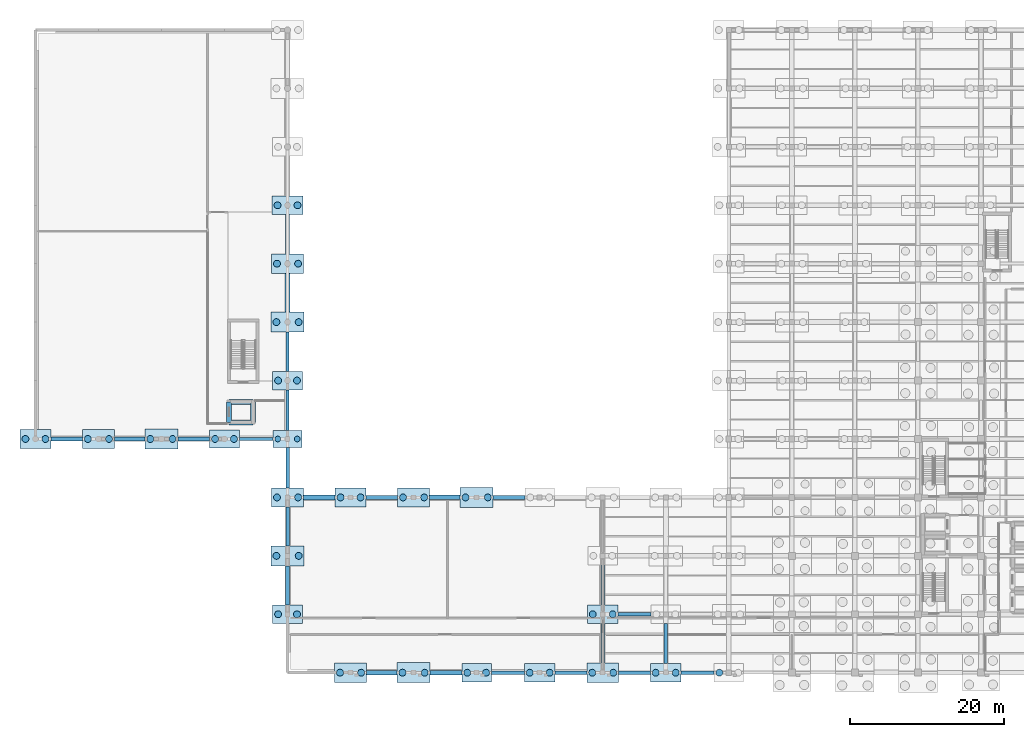
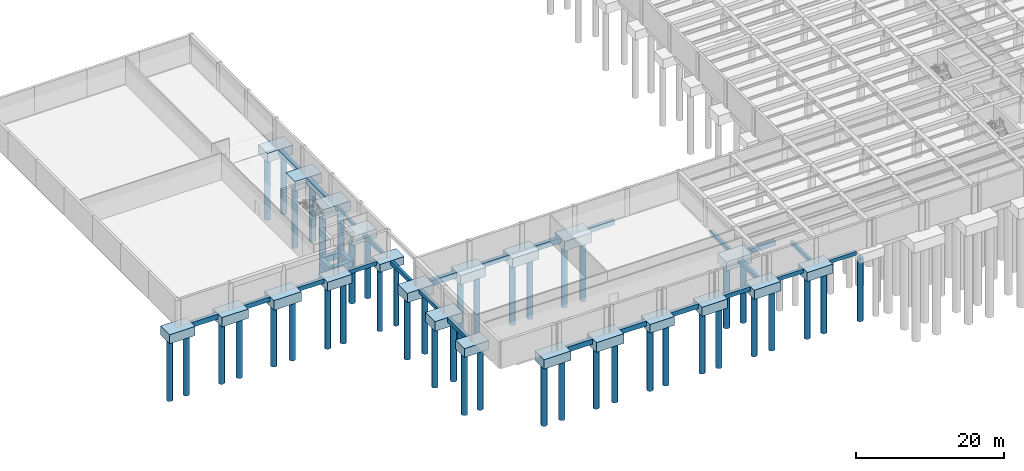
# One storey, part 1 of 29: 51 footings, 45 piles.
"""IFC4 building model written with IfcOpenShell, lengths in metres."""

from ifc_helpers import new_model, si_unit, direction, frame, origin, origin_2d, place, context, subcontext, project, spatial, rectangle, circle, extrude, material, material_profile, profile_set, type_object, element, save


model = new_model("IFC4")

# Units and contexts
model_context = context("Model", 3, precision=1e-05, world=origin(), true_north=direction((0.0, 1.0)))
body_context = subcontext(model_context, "Body", "Model", "MODEL_VIEW")
ifc_project = project(units=[si_unit("LENGTHUNIT", "METRE"), si_unit("AREAUNIT", "SQUARE_METRE"), si_unit("VOLUMEUNIT", "CUBIC_METRE"), si_unit("PLANEANGLEUNIT", "RADIAN"), si_unit("MASSUNIT", "GRAM", prefix="KILO")], contexts=[model_context])

# Site, building, storey
site_placement = place(None, origin())
site = spatial("IfcSite", under=ifc_project, at=site_placement, CompositionType="ELEMENT")
building_placement = place(site_placement, origin())
building = spatial("IfcBuilding", under=site, at=building_placement, Name="Qandaris Square Conservatory and Botanical Centre", CompositionType="ELEMENT")
storey_placement = place(building_placement, frame((0.0, 0.0, -4.800048828125)))
storey = spatial("IfcBuildingStorey", under=building, at=storey_placement, Name="B1", CompositionType="ELEMENT", Elevation=-4.800048828125)

# Piles
ifc_material_1 = material(Name="Concrete C50/60", Category="concrete")
ifc_material_profile_1 = material_profile(ifc_material_1, circle(Radius=0.375, at=origin_2d()), Name="PILE D750")
ifc_profile_set_1 = profile_set([ifc_material_profile_1], Name="Concrete C50/60")
pile_type_1 = type_object("IfcPileType", Name="Bored Pile D750", PredefinedType="BORED", material=ifc_profile_set_1)
for number, where, z_axis, x_axis, name in (
    (1, (55.925048828125, 47.0, -1.199951171875), (0.0, 0.0, -1.0), (1.0, 0.0, 0.0), "Bored Pile F7-1"),
    (2, (58.47509765625, 47.0, -1.199951171875), (0.0, 0.0, -1.0), (1.0, 0.0, 0.0), "Bored Pile F7-2"),
):
    element("IfcPile", number, at=place(storey_placement, frame(where, z_axis=z_axis, x_axis=x_axis)), inside=storey, type_object=pile_type_1, Name=name, PredefinedType="BORED", context=body_context, shape_type="SweptSolid", body=[
        extrude(circle(Radius=0.375, at=origin_2d()), origin(), (0.0, 0.0, 1.0), 10.5),
    ])
ifc_material_profile_2 = material_profile(ifc_material_1, circle(Radius=0.449951171875, at=origin_2d()), Name="PILE D900")
ifc_profile_set_2 = profile_set([ifc_material_profile_2], Name="Concrete C50/60")
pile_type_2 = type_object("IfcPileType", Name="Bored Pile D900", PredefinedType="BORED", material=ifc_profile_set_2)
for number, where, z_axis, x_axis, name in (
    (3, (23.10009765625, 47.0, -1.39990234375), (0.0, 0.0, -1.0), (1.0, 0.0, 0.0), "Bored Pile F3-1"),
    (4, (25.699951171875, 47.0, -1.39990234375), (0.0, 0.0, -1.0), (1.0, 0.0, 0.0), "Bored Pile F3-2"),
):
    element("IfcPile", number, at=place(storey_placement, frame(where, z_axis=z_axis, x_axis=x_axis)), inside=storey, type_object=pile_type_2, Name=name, PredefinedType="BORED", context=body_context, shape_type="SweptSolid", body=[
        extrude(circle(Radius=0.449951171875, at=origin_2d()), origin(), (0.0, 0.0, 1.0), 10.300048828125),
    ])
for number, where, z_axis, x_axis, name in (
    (5, (31.22509765625, 47.0, -1.449951171875), (0.0, 0.0, -1.0), (1.0, 0.0, 0.0), "Bored Pile F4-1"),
    (6, (33.97509765625, 47.0, -1.449951171875), (0.0, 0.0, -1.0), (1.0, 0.0, 0.0), "Bored Pile F4-2"),
):
    element("IfcPile", number, at=place(storey_placement, frame(where, z_axis=z_axis, x_axis=x_axis)), inside=storey, type_object=pile_type_2, Name=name, PredefinedType="BORED", context=body_context, shape_type="SweptSolid", body=[
        extrude(circle(Radius=0.449951171875, at=origin_2d()), origin(), (0.0, 0.0, 1.0), 10.25),
    ])
for number, where, z_axis, x_axis, name in (
    (7, (39.35009765625, 47.0, -1.5), (0.0, 0.0, -1.0), (1.0, 0.0, 0.0), "Bored Pile F5-1"),
    (8, (42.25, 47.0, -1.5), (0.0, 0.0, -1.0), (1.0, 0.0, 0.0), "Bored Pile F5-2"),
):
    element("IfcPile", number, at=place(storey_placement, frame(where, z_axis=z_axis, x_axis=x_axis)), inside=storey, type_object=pile_type_2, Name=name, PredefinedType="BORED", context=body_context, shape_type="SweptSolid", body=[
        extrude(circle(Radius=0.449951171875, at=origin_2d()), origin(), (0.0, 0.0, 1.0), 10.199951171875),
    ])
for number, where, z_axis, x_axis, name in (
    (9, (47.77490234375, 47.0, -1.349853515625), (0.0, 0.0, -1.0), (1.0, 0.0, 0.0), "Bored Pile F6-1"),
    (10, (50.22509765625, 47.0, -1.349853515625), (0.0, 0.0, -1.0), (1.0, 0.0, 0.0), "Bored Pile F6-2"),
    (11, (55.97509765625, 24.199951171875, -1.349853515625), (0.0, 0.0, -1.0), (1.0, 0.0, 0.0), "Bored Pile C7-1"),
    (12, (58.425048828125, 24.199951171875, -1.349853515625), (0.0, 0.0, -1.0), (1.0, 0.0, 0.0), "Bored Pile C7-2"),
):
    element("IfcPile", number, at=place(storey_placement, frame(where, z_axis=z_axis, x_axis=x_axis)), inside=storey, type_object=pile_type_2, Name=name, PredefinedType="BORED", context=body_context, shape_type="SweptSolid", body=[
        extrude(circle(Radius=0.449951171875, at=origin_2d()), origin(), (0.0, 0.0, 1.0), 10.35009765625),
    ])
for number, where, z_axis, x_axis, name in (
    (13, (55.75, 31.800048828125, -1.5), (0.0, 0.0, -1.0), (1.0, 0.0, 0.0), "Bored Pile D7-1"),
    (14, (58.64990234375, 31.800048828125, -1.5), (0.0, 0.0, -1.0), (1.0, 0.0, 0.0), "Bored Pile D7-2"),
):
    element("IfcPile", number, at=place(storey_placement, frame(where, z_axis=z_axis, x_axis=x_axis)), inside=storey, type_object=pile_type_2, Name=name, PredefinedType="BORED", context=body_context, shape_type="SweptSolid", body=[
        extrude(circle(Radius=0.449951171875, at=origin_2d()), origin(), (0.0, 0.0, 1.0), 10.199951171875),
    ])
for number, where, z_axis, x_axis, name in (
    (15, (55.824951171875, 39.39990234375, -1.449951171875), (0.0, 0.0, -1.0), (1.0, 0.0, 0.0), "Bored Pile E7-1"),
    (16, (58.574951171875, 39.39990234375, -1.449951171875), (0.0, 0.0, -1.0), (1.0, 0.0, 0.0), "Bored Pile E7-2"),
):
    element("IfcPile", number, at=place(storey_placement, frame(where, z_axis=z_axis, x_axis=x_axis)), inside=storey, type_object=pile_type_2, Name=name, PredefinedType="BORED", context=body_context, shape_type="SweptSolid", body=[
        extrude(circle(Radius=0.449951171875, at=origin_2d()), origin(), (0.0, 0.0, 1.0), 10.25),
    ])
for number, where, z_axis, x_axis, name in (
    (17, (55.97509765625, 54.60009765625, -1.349853515625), (0.0, 0.0, -1.0), (1.0, 0.0, 0.0), "Bored Pile G7-1"),
    (18, (58.425048828125, 54.60009765625, -1.349853515625), (0.0, 0.0, -1.0), (1.0, 0.0, 0.0), "Bored Pile G7-2"),
):
    element("IfcPile", number, at=place(storey_placement, frame(where, z_axis=z_axis, x_axis=x_axis)), inside=storey, type_object=pile_type_2, Name=name, PredefinedType="BORED", context=body_context, shape_type="SweptSolid", body=[
        extrude(circle(Radius=0.449951171875, at=origin_2d()), origin(), (0.0, 0.0, 1.0), 10.35009765625),
    ])
for number, where, z_axis, x_axis, name in (
    (19, (55.75, 62.199951171875, -1.5), (0.0, 0.0, -1.0), (1.0, 0.0, 0.0), "Bored Pile H7-1"),
    (20, (58.64990234375, 62.199951171875, -1.5), (0.0, 0.0, -1.0), (1.0, 0.0, 0.0), "Bored Pile H7-2"),
):
    element("IfcPile", number, at=place(storey_placement, frame(where, z_axis=z_axis, x_axis=x_axis)), inside=storey, type_object=pile_type_2, Name=name, PredefinedType="BORED", context=body_context, shape_type="SweptSolid", body=[
        extrude(circle(Radius=0.449951171875, at=origin_2d()), origin(), (0.0, 0.0, 1.0), 10.199951171875),
    ])
for number, where, z_axis, x_axis, name in (
    (21, (55.824951171875, 69.800048828125, -1.449951171875), (0.0, 0.0, -1.0), (1.0, 0.0, 0.0), "Bored Pile J7-1"),
    (22, (58.574951171875, 69.800048828125, -1.449951171875), (0.0, 0.0, -1.0), (1.0, 0.0, 0.0), "Bored Pile J7-2"),
):
    element("IfcPile", number, at=place(storey_placement, frame(where, z_axis=z_axis, x_axis=x_axis)), inside=storey, type_object=pile_type_2, Name=name, PredefinedType="BORED", context=body_context, shape_type="SweptSolid", body=[
        extrude(circle(Radius=0.449951171875, at=origin_2d()), origin(), (0.0, 0.0, 1.0), 10.25),
    ])
for number, where, z_axis, x_axis, name in (
    (23, (55.89990234375, 77.39990234375, -1.39990234375), (0.0, 0.0, -1.0), (1.0, 0.0, 0.0), "Bored Pile K7-1"),
    (24, (58.5, 77.39990234375, -1.39990234375), (0.0, 0.0, -1.0), (1.0, 0.0, 0.0), "Bored Pile K7-2"),
):
    element("IfcPile", number, at=place(storey_placement, frame(where, z_axis=z_axis, x_axis=x_axis)), inside=storey, type_object=pile_type_2, Name=name, PredefinedType="BORED", context=body_context, shape_type="SweptSolid", body=[
        extrude(circle(Radius=0.449951171875, at=origin_2d()), origin(), (0.0, 0.0, 1.0), 10.300048828125),
    ])
for number, where, z_axis, x_axis, name in (
    (25, (64.02490234375, 16.60009765625, -1.449951171875), (0.0, 0.0, -1.0), (1.0, 0.0, 0.0), "Bored Pile B8-1"),
    (26, (66.77490234375, 16.60009765625, -1.449951171875), (0.0, 0.0, -1.0), (1.0, 0.0, 0.0), "Bored Pile B8-2"),
):
    element("IfcPile", number, at=place(storey_placement, frame(where, z_axis=z_axis, x_axis=x_axis)), inside=storey, type_object=pile_type_2, Name=name, PredefinedType="BORED", context=body_context, shape_type="SweptSolid", body=[
        extrude(circle(Radius=0.449951171875, at=origin_2d()), origin(), (0.0, 0.0, 1.0), 10.25),
    ])
for number, where, z_axis, x_axis, name in (
    (27, (64.10009765625, 39.39990234375, -1.39990234375), (0.0, 0.0, -1.0), (1.0, 0.0, 0.0), "Bored Pile E8-1"),
    (28, (66.699951171875, 39.39990234375, -1.39990234375), (0.0, 0.0, -1.0), (1.0, 0.0, 0.0), "Bored Pile E8-2"),
):
    element("IfcPile", number, at=place(storey_placement, frame(where, z_axis=z_axis, x_axis=x_axis)), inside=storey, type_object=pile_type_2, Name=name, PredefinedType="BORED", context=body_context, shape_type="SweptSolid", body=[
        extrude(circle(Radius=0.449951171875, at=origin_2d()), origin(), (0.0, 0.0, 1.0), 10.300048828125),
    ])
for number, where, z_axis, x_axis, name in (
    (29, (72.14990234375, 16.60009765625, -1.5), (0.0, 0.0, -1.0), (1.0, 0.0, 0.0), "Bored Pile B9-1"),
    (30, (75.050048828125, 16.60009765625, -1.5), (0.0, 0.0, -1.0), (1.0, 0.0, 0.0), "Bored Pile B9-2"),
):
    element("IfcPile", number, at=place(storey_placement, frame(where, z_axis=z_axis, x_axis=x_axis)), inside=storey, type_object=pile_type_2, Name=name, PredefinedType="BORED", context=body_context, shape_type="SweptSolid", body=[
        extrude(circle(Radius=0.449951171875, at=origin_2d()), origin(), (0.0, 0.0, 1.0), 10.199951171875),
    ])
for number, where, z_axis, x_axis, name in (
    (31, (72.22509765625, 39.39990234375, -1.449951171875), (0.0, 0.0, -1.0), (1.0, 0.0, 0.0), "Bored Pile E9-1"),
    (32, (74.97509765625, 39.39990234375, -1.449951171875), (0.0, 0.0, -1.0), (1.0, 0.0, 0.0), "Bored Pile E9-2"),
):
    element("IfcPile", number, at=place(storey_placement, frame(where, z_axis=z_axis, x_axis=x_axis)), inside=storey, type_object=pile_type_2, Name=name, PredefinedType="BORED", context=body_context, shape_type="SweptSolid", body=[
        extrude(circle(Radius=0.449951171875, at=origin_2d()), origin(), (0.0, 0.0, 1.0), 10.25),
    ])
for number, where, z_axis, x_axis, name in (
    (33, (80.574951171875, 16.60009765625, -1.349853515625), (0.0, 0.0, -1.0), (1.0, 0.0, 0.0), "Bored Pile B10-1"),
    (34, (83.02490234375, 16.60009765625, -1.349853515625), (0.0, 0.0, -1.0), (1.0, 0.0, 0.0), "Bored Pile B10-2"),
):
    element("IfcPile", number, at=place(storey_placement, frame(where, z_axis=z_axis, x_axis=x_axis)), inside=storey, type_object=pile_type_2, Name=name, PredefinedType="BORED", context=body_context, shape_type="SweptSolid", body=[
        extrude(circle(Radius=0.449951171875, at=origin_2d()), origin(), (0.0, 0.0, 1.0), 10.35009765625),
    ])
for number, where, z_axis, x_axis, name in (
    (35, (80.35009765625, 39.39990234375, -1.5), (0.0, 0.0, -1.0), (1.0, 0.0, 0.0), "Bored Pile E10-1"),
    (36, (83.25, 39.39990234375, -1.5), (0.0, 0.0, -1.0), (1.0, 0.0, 0.0), "Bored Pile E10-2"),
):
    element("IfcPile", number, at=place(storey_placement, frame(where, z_axis=z_axis, x_axis=x_axis)), inside=storey, type_object=pile_type_2, Name=name, PredefinedType="BORED", context=body_context, shape_type="SweptSolid", body=[
        extrude(circle(Radius=0.449951171875, at=origin_2d()), origin(), (0.0, 0.0, 1.0), 10.199951171875),
    ])
for number, where, z_axis, x_axis, name in (
    (37, (88.699951171875, 16.60009765625, -1.39990234375), (0.0, 0.0, -1.0), (1.0, 0.0, 0.0), "Bored Pile B11-1"),
    (38, (91.300048828125, 16.60009765625, -1.39990234375), (0.0, 0.0, -1.0), (1.0, 0.0, 0.0), "Bored Pile B11-2"),
):
    element("IfcPile", number, at=place(storey_placement, frame(where, z_axis=z_axis, x_axis=x_axis)), inside=storey, type_object=pile_type_2, Name=name, PredefinedType="BORED", context=body_context, shape_type="SweptSolid", body=[
        extrude(circle(Radius=0.449951171875, at=origin_2d()), origin(), (0.0, 0.0, 1.0), 10.300048828125),
    ])
for number, where, z_axis, x_axis, name in (
    (39, (96.824951171875, 16.60009765625, -1.449951171875), (0.0, 0.0, -1.0), (1.0, 0.0, 0.0), "Bored Pile B12-1"),
    (40, (99.574951171875, 16.60009765625, -1.449951171875), (0.0, 0.0, -1.0), (1.0, 0.0, 0.0), "Bored Pile B12-2"),
):
    element("IfcPile", number, at=place(storey_placement, frame(where, z_axis=z_axis, x_axis=x_axis)), inside=storey, type_object=pile_type_2, Name=name, PredefinedType="BORED", context=body_context, shape_type="SweptSolid", body=[
        extrude(circle(Radius=0.449951171875, at=origin_2d()), origin(), (0.0, 0.0, 1.0), 10.25),
    ])
for number, where, z_axis, x_axis, name in (
    (41, (96.89990234375, 24.199951171875, -1.39990234375), (0.0, 0.0, -1.0), (1.0, 0.0, 0.0), "Bored Pile C12-1"),
    (42, (99.5, 24.199951171875, -1.39990234375), (0.0, 0.0, -1.0), (1.0, 0.0, 0.0), "Bored Pile C12-2"),
    (43, (105.10009765625, 16.60009765625, -1.39990234375), (0.0, 0.0, -1.0), (1.0, 0.0, 0.0), "Bored Pile B13-1"),
    (44, (107.699951171875, 16.60009765625, -1.39990234375), (0.0, 0.0, -1.0), (1.0, 0.0, 0.0), "Bored Pile B13-2"),
):
    element("IfcPile", number, at=place(storey_placement, frame(where, z_axis=z_axis, x_axis=x_axis)), inside=storey, type_object=pile_type_2, Name=name, PredefinedType="BORED", context=body_context, shape_type="SweptSolid", body=[
        extrude(circle(Radius=0.449951171875, at=origin_2d()), origin(), (0.0, 0.0, 1.0), 10.300048828125),
    ])
pile_placement = place(storey_placement, frame((113.375, 16.60009765625, -1.349853515625), z_axis=(0.0, 0.0, -1.0), x_axis=(1.0, 0.0, 0.0)))
element("IfcPile", 45, at=pile_placement, inside=storey, type_object=pile_type_2, Name="Bored Pile B14-1", PredefinedType="BORED", context=body_context, shape_type="SweptSolid", body=[
    extrude(circle(Radius=0.449951171875, at=origin_2d()), origin(), (0.0, 0.0, 1.0), 10.35009765625),
])

# Footings
ifc_material_2 = material(Name="Concrete C40/50", Category="concrete")
ifc_material_profile_3 = material_profile(ifc_material_2, rectangle(XDim=0.60009765625, YDim=0.85009765625, at=origin_2d()), Name="FB 600x850")
ifc_profile_set_3 = profile_set([ifc_material_profile_3], Name="Concrete C40/50")
footing_type_1 = type_object("IfcFootingType", Name="RC Ground Tie Beam FB-01", PredefinedType="FOOTING_BEAM", material=ifc_profile_set_3)
for number, where, z_axis, x_axis, name in (
    (46, (67.47509765625, 16.60009765625, -0.425048828125), (1.0, 0.0, 0.0), (0.0, 1.0, 0.0), "Ground Tie Beam FB-01-001"),
    (47, (75.675048828125, 39.39990234375, -0.425048828125), (1.0, 0.0, 0.0), (0.0, 1.0, 0.0), "Ground Tie Beam FB-01-031"),
):
    element("IfcFooting", number, at=place(storey_placement, frame(where, z_axis=z_axis, x_axis=x_axis)), inside=storey, type_object=footing_type_1, Name=name, PredefinedType="FOOTING_BEAM", context=body_context, shape_type="SweptSolid", body=[
        extrude(rectangle(XDim=0.60009765625, YDim=0.85009765625, at=origin_2d()), origin(), (0.0, 0.0, 1.0), 3.974853515625),
    ])
ifc_material_profile_4 = material_profile(ifc_material_2, rectangle(XDim=0.550048828125, YDim=0.800048828125, at=origin_2d()), Name="FB 550x800")
ifc_profile_set_4 = profile_set([ifc_material_profile_4], Name="Concrete C40/50")
footing_type_2 = type_object("IfcFootingType", Name="RC Ground Tie Beam FB-02", PredefinedType="FOOTING_BEAM", material=ifc_profile_set_4)
for number, where, z_axis, x_axis, name in (
    (48, (75.75, 16.60009765625, -0.39990234375), (1.0, 0.0, 0.0), (0.0, 1.0, 0.0), "Ground Tie Beam FB-02-002"),
    (49, (83.949951171875, 39.39990234375, -0.39990234375), (1.0, 0.0, 0.0), (0.0, 1.0, 0.0), "Ground Tie Beam FB-02-032"),
    (50, (26.39990234375, 47.0, -0.39990234375), (1.0, 0.0, 0.0), (0.0, 1.0, 0.0), "Ground Tie Beam FB-02-042"),
):
    element("IfcFooting", number, at=place(storey_placement, frame(where, z_axis=z_axis, x_axis=x_axis)), inside=storey, type_object=footing_type_2, Name=name, PredefinedType="FOOTING_BEAM", context=body_context, shape_type="SweptSolid", body=[
        extrude(rectangle(XDim=0.550048828125, YDim=0.800048828125, at=origin_2d()), origin(), (0.0, 0.0, 1.0), 4.125),
    ])
ifc_material_profile_5 = material_profile(ifc_material_2, rectangle(XDim=0.5, YDim=0.75, at=origin_2d()), Name="FB 500x750")
ifc_profile_set_5 = profile_set([ifc_material_profile_5], Name="Concrete C40/50")
footing_type_3 = type_object("IfcFootingType", Name="RC Ground Tie Beam FB-03", PredefinedType="FOOTING_BEAM", material=ifc_profile_set_5)
footing_1_placement = place(storey_placement, frame((83.72509765625, 16.60009765625, -0.375), z_axis=(1.0, 0.0, 0.0), x_axis=(0.0, 1.0, 0.0)))
element("IfcFooting", 51, at=footing_1_placement, inside=storey, type_object=footing_type_3, Name="Ground Tie Beam FB-03-003", PredefinedType="FOOTING_BEAM", context=body_context, shape_type="SweptSolid", body=[
    extrude(rectangle(XDim=0.5, YDim=0.75, at=origin_2d()), origin(), (0.0, 0.0, 1.0), 4.27490234375),
])
footing_2_placement = place(storey_placement, frame((100.199951171875, 24.199951171875, -0.375), z_axis=(1.0, 0.0, 0.0), x_axis=(0.0, 1.0, 0.0)))
element("IfcFooting", 52, at=footing_2_placement, inside=storey, type_object=footing_type_3, Name="Ground Tie Beam FB-03-013", PredefinedType="FOOTING_BEAM", context=body_context, shape_type="SweptSolid", body=[
    extrude(rectangle(XDim=0.5, YDim=0.75, at=origin_2d()), origin(), (0.0, 0.0, 1.0), 4.275146484375),
])
footing_3_placement = place(storey_placement, frame((34.675048828125, 47.0, -0.375), z_axis=(1.0, 0.0, 0.0), x_axis=(0.0, 1.0, 0.0)))
element("IfcFooting", 53, at=footing_3_placement, inside=storey, type_object=footing_type_3, Name="Ground Tie Beam FB-03-043", PredefinedType="FOOTING_BEAM", context=body_context, shape_type="SweptSolid", body=[
    extrude(rectangle(XDim=0.5, YDim=0.75, at=origin_2d()), origin(), (0.0, 0.0, 1.0), 3.974853515625),
])
ifc_material_profile_6 = material_profile(ifc_material_2, rectangle(XDim=0.5, YDim=0.699951171875, at=origin_2d()), Name="FB 500x700")
ifc_profile_set_6 = profile_set([ifc_material_profile_6], Name="Concrete C40/50")
footing_type_4 = type_object("IfcFootingType", Name="RC Ground Tie Beam FB-04", PredefinedType="FOOTING_BEAM", material=ifc_profile_set_6)
for number, where, z_axis, x_axis, name in (
    (54, (92.0, 16.60009765625, -0.349853515625), (1.0, 0.0, 0.0), (0.0, 1.0, 0.0), "Ground Tie Beam FB-04-004"),
    (55, (42.949951171875, 47.0, -0.349853515625), (1.0, 0.0, 0.0), (0.0, 1.0, 0.0), "Ground Tie Beam FB-04-044"),
):
    element("IfcFooting", number, at=place(storey_placement, frame(where, z_axis=z_axis, x_axis=x_axis)), inside=storey, type_object=footing_type_4, Name=name, PredefinedType="FOOTING_BEAM", context=body_context, shape_type="SweptSolid", body=[
        extrude(rectangle(XDim=0.5, YDim=0.699951171875, at=origin_2d()), origin(), (0.0, 0.0, 1.0), 4.125),
    ])
footing_4_placement = place(storey_placement, frame((57.199951171875, 25.39990234375, -0.349853515625), z_axis=(0.0, 1.0, 0.0), x_axis=(-1.0, 0.0, 0.0)))
element("IfcFooting", 56, at=footing_4_placement, inside=storey, type_object=footing_type_4, Name="Ground Tie Beam FB-04-094", PredefinedType="FOOTING_BEAM", context=body_context, shape_type="SweptSolid", body=[
    extrude(rectangle(XDim=0.5, YDim=0.699951171875, at=origin_2d()), origin(), (0.0, 0.0, 1.0), 5.10009765625),
])
footing_5_placement = place(storey_placement, frame((98.199951171875, 17.85009765625, -0.349853515625), z_axis=(0.0, 1.0, 0.0), x_axis=(-1.0, 0.0, 0.0)))
element("IfcFooting", 57, at=footing_5_placement, inside=storey, type_object=footing_type_4, Name="Ground Tie Beam FB-04-104", PredefinedType="FOOTING_BEAM", context=body_context, shape_type="SweptSolid", body=[
    extrude(rectangle(XDim=0.5, YDim=0.699951171875, at=origin_2d()), origin(), (0.0, 0.0, 1.0), 5.125),
])
ifc_material_profile_7 = material_profile(ifc_material_2, rectangle(XDim=0.449951171875, YDim=0.64990234375, at=origin_2d()), Name="FB 450x650")
ifc_profile_set_7 = profile_set([ifc_material_profile_7], Name="Concrete C40/50")
footing_type_5 = type_object("IfcFootingType", Name="RC Ground Tie Beam FB-05", PredefinedType="FOOTING_BEAM", material=ifc_profile_set_7)
footing_6_placement = place(storey_placement, frame((100.27490234375, 16.60009765625, -0.324951171875), z_axis=(1.0, 0.0, 0.0), x_axis=(0.0, 1.0, 0.0)))
element("IfcFooting", 58, at=footing_6_placement, inside=storey, type_object=footing_type_5, Name="Ground Tie Beam FB-05-005", PredefinedType="FOOTING_BEAM", context=body_context, shape_type="SweptSolid", body=[
    extrude(rectangle(XDim=0.449951171875, YDim=0.64990234375, at=origin_2d()), origin(), (0.0, 0.0, 1.0), 4.125),
])
footing_7_placement = place(storey_placement, frame((50.925048828125, 47.0, -0.324951171875), z_axis=(1.0, 0.0, 0.0), x_axis=(0.0, 1.0, 0.0)))
element("IfcFooting", 59, at=footing_7_placement, inside=storey, type_object=footing_type_5, Name="Ground Tie Beam FB-05-045", PredefinedType="FOOTING_BEAM", context=body_context, shape_type="SweptSolid", body=[
    extrude(rectangle(XDim=0.449951171875, YDim=0.64990234375, at=origin_2d()), origin(), (0.0, 0.0, 1.0), 4.375),
])
footing_8_placement = place(storey_placement, frame((57.199951171875, 33.10009765625, -0.324951171875), z_axis=(0.0, 1.0, 0.0), x_axis=(-1.0, 0.0, 0.0)))
element("IfcFooting", 60, at=footing_8_placement, inside=storey, type_object=footing_type_5, Name="Ground Tie Beam FB-05-095", PredefinedType="FOOTING_BEAM", context=body_context, shape_type="SweptSolid", body=[
    extrude(rectangle(XDim=0.449951171875, YDim=0.64990234375, at=origin_2d()), origin(), (0.0, 0.0, 1.0), 5.0498046875),
])
footing_9_placement = place(storey_placement, frame((98.199951171875, 25.425048828125, -0.324951171875), z_axis=(0.0, 1.0, 0.0), x_axis=(-1.0, 0.0, 0.0)))
element("IfcFooting", 61, at=footing_9_placement, inside=storey, type_object=footing_type_5, Name="Ground Tie Beam FB-05-105", PredefinedType="FOOTING_BEAM", context=body_context, shape_type="SweptSolid", body=[
    extrude(rectangle(XDim=0.449951171875, YDim=0.64990234375, at=origin_2d()), origin(), (0.0, 0.0, 1.0), 5.175048828125),
])
ifc_material_profile_8 = material_profile(ifc_material_2, rectangle(XDim=0.449951171875, YDim=0.60009765625, at=origin_2d()), Name="FB 450x600")
ifc_profile_set_8 = profile_set([ifc_material_profile_8], Name="Concrete C40/50")
footing_type_6 = type_object("IfcFootingType", Name="RC Ground Tie Beam FB-06", PredefinedType="FOOTING_BEAM", material=ifc_profile_set_8)
footing_10_placement = place(storey_placement, frame((108.39990234375, 16.60009765625, -0.300048828125), z_axis=(1.0, 0.0, 0.0), x_axis=(0.0, 1.0, 0.0)))
element("IfcFooting", 62, at=footing_10_placement, inside=storey, type_object=footing_type_6, Name="Ground Tie Beam FB-06-006", PredefinedType="FOOTING_BEAM", context=body_context, shape_type="SweptSolid", body=[
    extrude(rectangle(XDim=0.449951171875, YDim=0.60009765625, at=origin_2d()), origin(), (0.0, 0.0, 1.0), 4.275146484375),
])
footing_11_placement = place(storey_placement, frame((57.199951171875, 40.64990234375, -0.300048828125), z_axis=(0.0, 1.0, 0.0), x_axis=(-1.0, 0.0, 0.0)))
element("IfcFooting", 63, at=footing_11_placement, inside=storey, type_object=footing_type_6, Name="Ground Tie Beam FB-06-096", PredefinedType="FOOTING_BEAM", context=body_context, shape_type="SweptSolid", body=[
    extrude(rectangle(XDim=0.449951171875, YDim=0.60009765625, at=origin_2d()), origin(), (0.0, 0.0, 1.0), 5.25),
])
ifc_material_profile_9 = material_profile(ifc_material_2, rectangle(XDim=0.39990234375, YDim=0.60009765625, at=origin_2d()), Name="FB 400x600")
ifc_profile_set_9 = profile_set([ifc_material_profile_9], Name="Concrete C40/50")
footing_type_7 = type_object("IfcFootingType", Name="RC Ground Tie Beam FB-07", PredefinedType="FOOTING_BEAM", material=ifc_profile_set_9)
footing_12_placement = place(storey_placement, frame((57.199951171875, 48.10009765625, -0.300048828125), z_axis=(0.0, 1.0, 0.0), x_axis=(-1.0, 0.0, 0.0)))
element("IfcFooting", 64, at=footing_12_placement, inside=storey, type_object=footing_type_7, Name="Ground Tie Beam FB-07-097", PredefinedType="FOOTING_BEAM", context=body_context, shape_type="SweptSolid", body=[
    extrude(rectangle(XDim=0.39990234375, YDim=0.60009765625, at=origin_2d()), origin(), (0.0, 0.0, 1.0), 5.2998046875),
])
footing_13_placement = place(storey_placement, frame((106.39990234375, 17.824951171875, -0.300048828125), z_axis=(0.0, 1.0, 0.0), x_axis=(-1.0, 0.0, 0.0)))
element("IfcFooting", 65, at=footing_13_placement, inside=storey, type_object=footing_type_7, Name="Ground Tie Beam FB-07-107", PredefinedType="FOOTING_BEAM", context=body_context, shape_type="SweptSolid", body=[
    extrude(rectangle(XDim=0.39990234375, YDim=0.60009765625, at=origin_2d()), origin(), (0.0, 0.0, 1.0), 5.175048828125),
])
ifc_material_profile_10 = material_profile(ifc_material_2, rectangle(XDim=0.39990234375, YDim=0.550048828125, at=origin_2d()), Name="FB 400x550")
ifc_profile_set_10 = profile_set([ifc_material_profile_10], Name="Concrete C40/50")
footing_type_8 = type_object("IfcFootingType", Name="RC Ground Tie Beam FB-08", PredefinedType="FOOTING_BEAM", material=ifc_profile_set_10)
footing_14_placement = place(storey_placement, frame((57.199951171875, 55.800048828125, -0.27490234375), z_axis=(0.0, 1.0, 0.0), x_axis=(-1.0, 0.0, 0.0)))
element("IfcFooting", 66, at=footing_14_placement, inside=storey, type_object=footing_type_8, Name="Ground Tie Beam FB-08-098", PredefinedType="FOOTING_BEAM", context=body_context, shape_type="SweptSolid", body=[
    extrude(rectangle(XDim=0.39990234375, YDim=0.550048828125, at=origin_2d()), origin(), (0.0, 0.0, 1.0), 5.099853515625),
])
ifc_material_profile_11 = material_profile(ifc_material_2, rectangle(XDim=0.64990234375, YDim=0.89990234375, at=origin_2d()), Name="FB 650x900")
ifc_profile_set_11 = profile_set([ifc_material_profile_11], Name="Concrete C40/50")
footing_type_9 = type_object("IfcFootingType", Name="RC Ground Tie Beam FB-09", PredefinedType="FOOTING_BEAM", material=ifc_profile_set_11)
footing_15_placement = place(storey_placement, frame((59.27490234375, 39.39990234375, -0.449951171875), z_axis=(1.0, 0.0, 0.0), x_axis=(0.0, 1.0, 0.0)))
element("IfcFooting", 67, at=footing_15_placement, inside=storey, type_object=footing_type_9, Name="Ground Tie Beam FB-09-029", PredefinedType="FOOTING_BEAM", context=body_context, shape_type="SweptSolid", body=[
    extrude(rectangle(XDim=0.64990234375, YDim=0.89990234375, at=origin_2d()), origin(), (0.0, 0.0, 1.0), 4.125),
])
footing_16_placement = place(storey_placement, frame((57.199951171875, 63.5, -0.449951171875), z_axis=(0.0, 1.0, 0.0), x_axis=(-1.0, 0.0, 0.0)))
element("IfcFooting", 68, at=footing_16_placement, inside=storey, type_object=footing_type_9, Name="Ground Tie Beam FB-09-099", PredefinedType="FOOTING_BEAM", context=body_context, shape_type="SweptSolid", body=[
    extrude(rectangle(XDim=0.64990234375, YDim=0.89990234375, at=origin_2d()), origin(), (0.0, 0.0, 1.0), 5.050048828125),
])
for number, where, z_axis, x_axis, name in (
    (69, (49.574951171875, 49.175048828125, -0.800048828125), (1.0, 0.0, 0.0), (0.0, 1.0, 0.0), "Lift CL1 Pit Foundation Wall S"),
    (70, (49.574951171875, 51.824951171875, -0.800048828125), (1.0, 0.0, 0.0), (0.0, 1.0, 0.0), "Lift CL1 Pit Foundation Wall N"),
):
    element("IfcFooting", number, at=place(storey_placement, frame(where, z_axis=z_axis, x_axis=x_axis)), inside=storey, type_object=footing_type_9, Name=name, PredefinedType="FOOTING_BEAM", context=body_context, shape_type="SweptSolid", body=[
        extrude(rectangle(XDim=0.64990234375, YDim=0.89990234375, at=origin_2d()), origin(), (0.0, 0.0, 1.0), 3.150146484375),
    ])
for number, where, z_axis, x_axis, name in (
    (71, (49.574951171875, 49.175048828125, -0.800048828125), (0.0, 1.0, 0.0), (-1.0, 0.0, 0.0), "Lift CL1 Pit Foundation Wall W"),
    (72, (52.72509765625, 49.175048828125, -0.800048828125), (0.0, 1.0, 0.0), (-1.0, 0.0, 0.0), "Lift CL1 Pit Foundation Wall E"),
):
    element("IfcFooting", number, at=place(storey_placement, frame(where, z_axis=z_axis, x_axis=x_axis)), inside=storey, type_object=footing_type_9, Name=name, PredefinedType="FOOTING_BEAM", context=body_context, shape_type="SweptSolid", body=[
        extrude(rectangle(XDim=0.64990234375, YDim=0.89990234375, at=origin_2d()), origin(), (0.0, 0.0, 1.0), 2.64990234375),
    ])
ifc_material_profile_12 = material_profile(ifc_material_2, rectangle(XDim=0.550048828125, YDim=0.699951171875, at=origin_2d()), Name="FB 550x700")
ifc_profile_set_12 = profile_set([ifc_material_profile_12], Name="Concrete C40/50")
footing_type_10 = type_object("IfcFootingType", Name="RC Ground Tie Beam FB-10", PredefinedType="FOOTING_BEAM", material=ifc_profile_set_12)
footing_17_placement = place(storey_placement, frame((67.39990234375, 39.39990234375, -0.349853515625), z_axis=(1.0, 0.0, 0.0), x_axis=(0.0, 1.0, 0.0)))
element("IfcFooting", 73, at=footing_17_placement, inside=storey, type_object=footing_type_10, Name="Ground Tie Beam FB-10-030", PredefinedType="FOOTING_BEAM", context=body_context, shape_type="SweptSolid", body=[
    extrude(rectangle(XDim=0.550048828125, YDim=0.699951171875, at=origin_2d()), origin(), (0.0, 0.0, 1.0), 4.125),
])
footing_18_placement = place(storey_placement, frame((57.199951171875, 71.050048828125, -0.349853515625), z_axis=(0.0, 1.0, 0.0), x_axis=(-1.0, 0.0, 0.0)))
element("IfcFooting", 74, at=footing_18_placement, inside=storey, type_object=footing_type_10, Name="Ground Tie Beam FB-10-100", PredefinedType="FOOTING_BEAM", context=body_context, shape_type="SweptSolid", body=[
    extrude(rectangle(XDim=0.550048828125, YDim=0.699951171875, at=origin_2d()), origin(), (0.0, 0.0, 1.0), 5.125),
])
footing_type_11 = type_object("IfcFootingType", Name="RC Pile Cap PC-05", PredefinedType="PILE_CAP", material=ifc_material_2)
for number, where, z_axis, x_axis, name in (
    (75, (40.800048828125, 47.0, -1.60009765625), (0.0, 0.0, 1.0), (1.0, 0.0, 0.0), "Pile Cap PC-05 at F5"),
    (76, (57.199951171875, 31.800048828125, -1.60009765625), (0.0, 0.0, 1.0), (1.0, 0.0, 0.0), "Pile Cap PC-05 at D7"),
    (77, (57.199951171875, 62.199951171875, -1.60009765625), (0.0, 0.0, 1.0), (1.0, 0.0, 0.0), "Pile Cap PC-05 at H7"),
    (78, (73.60009765625, 16.60009765625, -1.60009765625), (0.0, 0.0, 1.0), (1.0, 0.0, 0.0), "Pile Cap PC-05 at B9"),
    (79, (81.800048828125, 39.39990234375, -1.60009765625), (0.0, 0.0, 1.0), (1.0, 0.0, 0.0), "Pile Cap PC-05 at E10"),
):
    element("IfcFooting", number, at=place(storey_placement, frame(where, z_axis=z_axis, x_axis=x_axis)), inside=storey, type_object=footing_type_11, Name=name, PredefinedType="PILE_CAP", context=body_context, shape_type="SweptSolid", body=[
        extrude(rectangle(XDim=4.300048828125, YDim=2.60009765625, at=origin_2d()), origin(), (0.0, 0.0, 1.0), 1.60009765625),
    ])
footing_type_12 = type_object("IfcFootingType", Name="RC Pile Cap PC-06", PredefinedType="PILE_CAP", material=ifc_material_2)
for number, where, z_axis, x_axis, name in (
    (80, (32.60009765625, 47.0, -1.5498046875), (0.0, 0.0, 1.0), (1.0, 0.0, 0.0), "Pile Cap PC-06 at F4"),
    (81, (57.199951171875, 39.39990234375, -1.5498046875), (0.0, 0.0, 1.0), (1.0, 0.0, 0.0), "Pile Cap PC-06 at E7"),
    (82, (57.199951171875, 69.800048828125, -1.5498046875), (0.0, 0.0, 1.0), (1.0, 0.0, 0.0), "Pile Cap PC-06 at J7"),
    (83, (65.39990234375, 16.60009765625, -1.5498046875), (0.0, 0.0, 1.0), (1.0, 0.0, 0.0), "Pile Cap PC-06 at B8"),
    (84, (73.60009765625, 39.39990234375, -1.5498046875), (0.0, 0.0, 1.0), (1.0, 0.0, 0.0), "Pile Cap PC-06 at E9"),
    (85, (98.199951171875, 16.60009765625, -1.5498046875), (0.0, 0.0, 1.0), (1.0, 0.0, 0.0), "Pile Cap PC-06 at B12"),
):
    element("IfcFooting", number, at=place(storey_placement, frame(where, z_axis=z_axis, x_axis=x_axis)), inside=storey, type_object=footing_type_12, Name=name, PredefinedType="PILE_CAP", context=body_context, shape_type="SweptSolid", body=[
        extrude(rectangle(XDim=4.14990234375, YDim=2.5, at=origin_2d()), origin(), (0.0, 0.0, 1.0), 1.550048828125),
    ])
footing_type_13 = type_object("IfcFootingType", Name="RC Pile Cap PC-07", PredefinedType="PILE_CAP", material=ifc_material_2)
for number, where, z_axis, x_axis, name in (
    (86, (24.39990234375, 47.0, -1.5), (0.0, 0.0, 1.0), (1.0, 0.0, 0.0), "Pile Cap PC-07 at F3"),
    (87, (57.199951171875, 77.39990234375, -1.5), (0.0, 0.0, 1.0), (1.0, 0.0, 0.0), "Pile Cap PC-07 at K7"),
    (88, (65.39990234375, 39.39990234375, -1.5), (0.0, 0.0, 1.0), (1.0, 0.0, 0.0), "Pile Cap PC-07 at E8"),
    (89, (90.0, 16.60009765625, -1.5), (0.0, 0.0, 1.0), (1.0, 0.0, 0.0), "Pile Cap PC-07 at B11"),
    (90, (98.199951171875, 24.199951171875, -1.5), (0.0, 0.0, 1.0), (1.0, 0.0, 0.0), "Pile Cap PC-07 at C12"),
    (91, (106.39990234375, 16.60009765625, -1.5), (0.0, 0.0, 1.0), (1.0, 0.0, 0.0), "Pile Cap PC-07 at B13"),
):
    element("IfcFooting", number, at=place(storey_placement, frame(where, z_axis=z_axis, x_axis=x_axis)), inside=storey, type_object=footing_type_13, Name=name, PredefinedType="PILE_CAP", context=body_context, shape_type="SweptSolid", body=[
        extrude(rectangle(XDim=4.0, YDim=2.449951171875, at=origin_2d()), origin(), (0.0, 0.0, 1.0), 1.5),
    ])
footing_type_14 = type_object("IfcFootingType", Name="RC Pile Cap PC-08", PredefinedType="PILE_CAP", material=ifc_material_2)
for number, where, z_axis, x_axis, name in (
    (92, (49.0, 47.0, -1.44970703125), (0.0, 0.0, 1.0), (1.0, 0.0, 0.0), "Pile Cap PC-08 at F6"),
    (93, (57.199951171875, 24.199951171875, -1.44970703125), (0.0, 0.0, 1.0), (1.0, 0.0, 0.0), "Pile Cap PC-08 at C7"),
    (94, (57.199951171875, 54.60009765625, -1.44970703125), (0.0, 0.0, 1.0), (1.0, 0.0, 0.0), "Pile Cap PC-08 at G7"),
    (95, (81.800048828125, 16.60009765625, -1.44970703125), (0.0, 0.0, 1.0), (1.0, 0.0, 0.0), "Pile Cap PC-08 at B10"),
):
    element("IfcFooting", number, at=place(storey_placement, frame(where, z_axis=z_axis, x_axis=x_axis)), inside=storey, type_object=footing_type_14, Name=name, PredefinedType="PILE_CAP", context=body_context, shape_type="SweptSolid", body=[
        extrude(rectangle(XDim=3.85009765625, YDim=2.39990234375, at=origin_2d()), origin(), (0.0, 0.0, 1.0), 1.449951171875),
    ])
footing_type_15 = type_object("IfcFootingType", Name="RC Pile Cap PC-11", PredefinedType="PILE_CAP", material=ifc_material_2)
footing_19_placement = place(storey_placement, frame((57.199951171875, 47.0, -1.2998046875), z_axis=(0.0, 0.0, 1.0), x_axis=(1.0, 0.0, 0.0)))
element("IfcFooting", 96, at=footing_19_placement, inside=storey, type_object=footing_type_15, Name="Pile Cap PC-11 at F7", PredefinedType="PILE_CAP", context=body_context, shape_type="SweptSolid", body=[
    extrude(rectangle(XDim=3.800048828125, YDim=2.199951171875, at=origin_2d()), origin(), (0.0, 0.0, 1.0), 1.300048828125),
])

save(model, "model.ifc")
